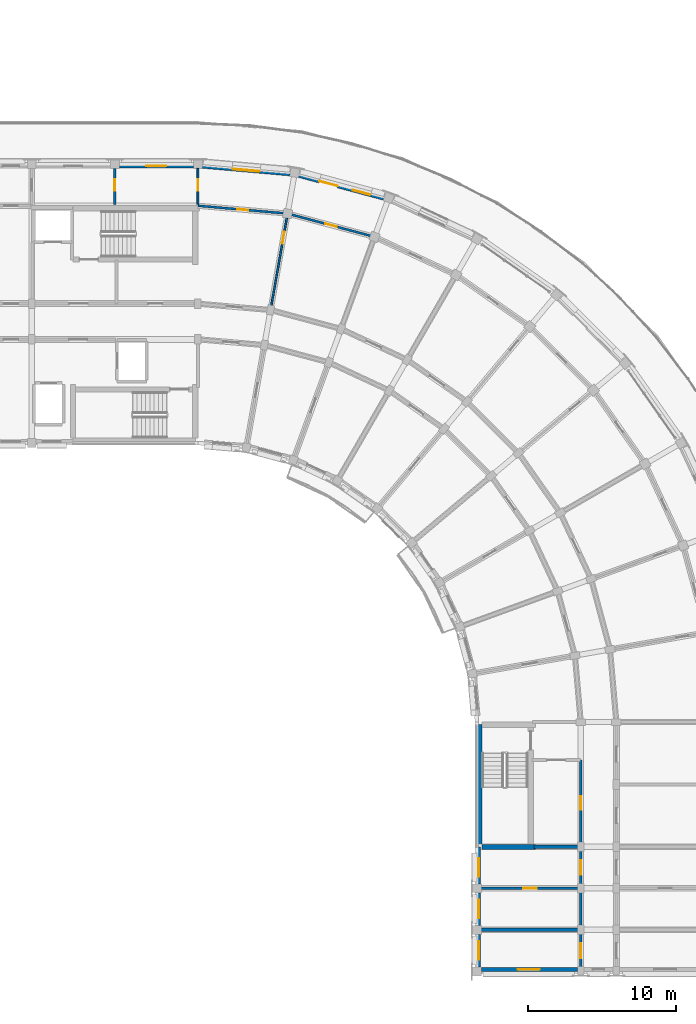
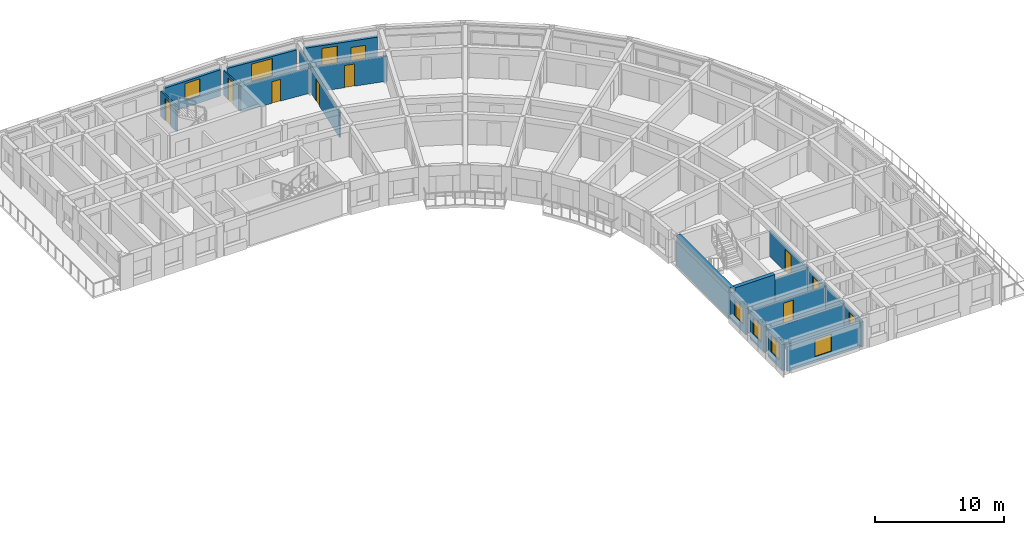
# One storey, part 20 of 36: 21 walls, 10 doors, 7 windows, 17 openings.
"""IFC4 building model written with IfcOpenShell, lengths in metres."""

from ifc_helpers import new_model, si_unit, direction, frame, frame_2d, origin, place, context, subcontext, project, spatial, rectangle, extrude, material, layer, layer_set, type_object, element, fill, save


model = new_model("IFC4")

# Units and contexts
model_context = context("Model", 3, precision=1e-05, world=origin(), true_north=direction((0.0, 1.0)))
body_context = subcontext(model_context, "Body", "Model", "MODEL_VIEW")
ifc_project = project(units=[si_unit("LENGTHUNIT", "METRE"), si_unit("AREAUNIT", "SQUARE_METRE"), si_unit("VOLUMEUNIT", "CUBIC_METRE"), si_unit("PLANEANGLEUNIT", "RADIAN"), si_unit("MASSUNIT", "GRAM", prefix="KILO")], contexts=[model_context])

# Site, building, storey
site_placement = place(None, origin())
site = spatial("IfcSite", under=ifc_project, at=site_placement, CompositionType="ELEMENT")
building_placement = place(site_placement, origin())
building = spatial("IfcBuilding", under=site, at=building_placement, Name="Kiranvali Square Residences", CompositionType="ELEMENT")
storey_placement = place(building_placement, frame((0.0, 0.0, 37.050048828125)))
storey = spatial("IfcBuildingStorey", under=building, at=storey_placement, Name="L11", CompositionType="ELEMENT", Elevation=37.050048828125)

# Wall, opening, door
ifc_material_1 = material(Name="Autoclaved aerated concrete blockwork masonry", Category="masonry")
ifc_layer_1 = layer(ifc_material_1, 0.199951171875)
ifc_layer_set_1 = layer_set([ifc_layer_1], Name="Autoclaved aerated concrete blockwork masonry")
wall_type_1 = type_object("IfcWallType", Name="WL-COR-200", PredefinedType="STANDARD", material=ifc_layer_set_1)
wall_1_placement = place(storey_placement, frame((145.60009765625, 85.25, 0.0), z_axis=(0.0, 0.0, 1.0), x_axis=(0.0, -1.0, 0.0)))
wall_1 = element("IfcWall", 1, at=wall_1_placement, inside=storey, type_object=wall_type_1, Name="L11 architectural wall WL-L11-B-S3-COR", PredefinedType="STANDARD", context=body_context, shape_type="SweptSolid", body=[
    extrude(rectangle(XDim=5.800048828125, YDim=0.199951171875, at=frame_2d((2.89990234375, 0.0))), origin(), (0.0, 0.0, 1.0), 2.3720703125),
])
opening_1_placement = place(wall_1_placement, frame((2.43994140625, 0.0, 0.0)))
opening_1 = element("IfcOpeningElement", 2, at=opening_1_placement, cuts=wall_1, Name="Opening FD-SVC-120", PredefinedType="OPENING", context=body_context, shape_type="SweptSolid", body=[
    extrude(rectangle(XDim=0.919921875, YDim=2.10009765625, at=frame_2d((0.4599609375, 1.050048828125))), frame((0.0, 0.10986328125, 0.0), z_axis=(0.0, -1.0, 0.0), x_axis=(1.0, 0.0, 0.0)), (0.0, 0.0, 1.0), 0.219970703125),
])
ifc_material_2 = material(Name="Fire-rated acoustic hardwood and mineral-core door assembly", Category="wood")
door_type_1 = type_object("IfcDoorType", Name="DR-SVC-900", OperationType="NOTDEFINED", PredefinedType="DOOR", material=ifc_material_2)
door_1_placement = place(opening_1_placement, origin())
door_1 = element("IfcDoor", 3, at=door_1_placement, inside=storey, type_object=door_type_1, Name="L11 door DR-L11-1643 (DR-SVC-900)", OperationType="SINGLE_SWING_LEFT", OverallHeight=2.10009765625, OverallWidth=0.919921875, PredefinedType="DOOR", context=body_context, shape_type="SweptSolid", body=[
    extrude(rectangle(XDim=0.919921875, YDim=2.10009765625, at=frame_2d((0.4599609375, 1.050048828125))), frame((0.0, 0.02490234375, 0.0), z_axis=(0.0, -1.0, 0.0), x_axis=(1.0, 0.0, 0.0)), (0.0, 0.0, 1.0), 0.050048828125),
])
fill(opening_1, door_1)

wall_2_placement = place(storey_placement, frame((145.60009765625, 79.39990234375, 0.0), z_axis=(0.0, 0.0, 1.0), x_axis=(0.0, -1.0, 0.0)))
wall_2 = element("IfcWall", 4, at=wall_2_placement, inside=storey, type_object=wall_type_1, Name="L11 architectural wall WL-L11-B-A2CI-0", PredefinedType="STANDARD", context=body_context, shape_type="SweptSolid", body=[
    extrude(rectangle(XDim=2.7998046875, YDim=0.199951171875, at=frame_2d((1.39990234375, 0.0))), origin(), (0.0, 0.0, 1.0), 2.3720703125),
])
opening_2_placement = place(wall_2_placement, frame((0.89990234375, 0.0, 0.0)))
opening_2 = element("IfcOpeningElement", 5, at=opening_2_placement, cuts=wall_2, Name="Opening FD-APT-60", PredefinedType="OPENING", context=body_context, shape_type="SweptSolid", body=[
    extrude(rectangle(XDim=1.0, YDim=2.14990234375, at=frame_2d((0.5, 1.074951171875))), frame((0.0, 0.10986328125, 0.0), z_axis=(0.0, -1.0, 0.0), x_axis=(1.0, 0.0, 0.0)), (0.0, 0.0, 1.0), 0.219970703125),
])
door_type_2 = type_object("IfcDoorType", Name="DR-APT-1000", OperationType="NOTDEFINED", PredefinedType="DOOR", material=ifc_material_2)
door_2_placement = place(opening_2_placement, frame((1.0, 0.0, 0.0), z_axis=(0.0, 0.0, 1.0), x_axis=(-1.0, 0.0, 0.0)))
door_2 = element("IfcDoor", 6, at=door_2_placement, inside=storey, type_object=door_type_2, Name="L11 door DR-L11-1688 (DR-APT-1000)", OperationType="SINGLE_SWING_RIGHT", OverallHeight=2.14990234375, OverallWidth=1.0, PredefinedType="DOOR", context=body_context, shape_type="SweptSolid", body=[
    extrude(rectangle(XDim=1.0, YDim=2.14990234375, at=frame_2d((0.5, 1.074951171875))), frame((0.0, 0.02490234375, 0.0), z_axis=(0.0, -1.0, 0.0), x_axis=(1.0, 0.0, 0.0)), (0.0, 0.0, 1.0), 0.050048828125),
])
fill(opening_2, door_2)

# Wall
wall_3_placement = place(storey_placement, frame((145.60009765625, 76.60009765625, 0.0), z_axis=(0.0, 0.0, 1.0), x_axis=(0.0, -1.0, 0.0)))
element("IfcWall", 7, at=wall_3_placement, inside=storey, type_object=wall_type_1, Name="L11 architectural wall WL-L11-B-A2CI-1", PredefinedType="STANDARD", context=body_context, shape_type="SweptSolid", body=[
    extrude(rectangle(XDim=2.800048828125, YDim=0.199951171875, at=frame_2d((1.39990234375, 0.0))), origin(), (0.0, 0.0, 1.0), 2.3720703125),
])

# Wall, opening, door
wall_4_placement = place(storey_placement, frame((145.60009765625, 73.800048828125, 0.0), z_axis=(0.0, 0.0, 1.0), x_axis=(0.0, -1.0, 0.0)))
wall_4 = element("IfcWall", 8, at=wall_4_placement, inside=storey, type_object=wall_type_1, Name="L11 architectural wall WL-L11-B-A2CI-2", PredefinedType="STANDARD", context=body_context, shape_type="SweptSolid", body=[
    extrude(rectangle(XDim=2.800048828125, YDim=0.199951171875, at=frame_2d((1.39990234375, 0.0))), origin(), (0.0, 0.0, 1.0), 2.3720703125),
])
opening_3_placement = place(wall_4_placement, frame((0.89990234375, 0.0, 0.0)))
opening_3 = element("IfcOpeningElement", 9, at=opening_3_placement, cuts=wall_4, Name="Opening FD-APT-60", PredefinedType="OPENING", context=body_context, shape_type="SweptSolid", body=[
    extrude(rectangle(XDim=1.0, YDim=2.14990234375, at=frame_2d((0.5, 1.074951171875))), frame((0.0, 0.10986328125, 0.0), z_axis=(0.0, -1.0, 0.0), x_axis=(1.0, 0.0, 0.0)), (0.0, 0.0, 1.0), 0.219970703125),
])
door_3_placement = place(opening_3_placement, frame((1.0, 0.0, 0.0), z_axis=(0.0, 0.0, 1.0), x_axis=(-1.0, 0.0, 0.0)))
door_3 = element("IfcDoor", 10, at=door_3_placement, inside=storey, type_object=door_type_2, Name="L11 door DR-L11-1694 (DR-APT-1000)", OperationType="SINGLE_SWING_RIGHT", OverallHeight=2.14990234375, OverallWidth=1.0, PredefinedType="DOOR", context=body_context, shape_type="SweptSolid", body=[
    extrude(rectangle(XDim=1.0, YDim=2.14990234375, at=frame_2d((0.5, 1.074951171875))), frame((0.0, 0.02490234375, 0.0), z_axis=(0.0, -1.0, 0.0), x_axis=(1.0, 0.0, 0.0)), (0.0, 0.0, 1.0), 0.050048828125),
])
fill(opening_3, door_3)

# Walls
ifc_layer_2 = layer(ifc_material_1, 0.219970703125)
ifc_layer_set_2 = layer_set([ifc_layer_2], Name="Autoclaved aerated concrete blockwork masonry")
wall_type_2 = type_object("IfcWallType", Name="WL-DEM-220", PredefinedType="STANDARD", material=ifc_layer_set_2)
wall_5_placement = place(storey_placement, frame((142.449951171875, 79.39990234375, 0.0), z_axis=(0.0, 0.0, 1.0), x_axis=(1.0, 0.0, 0.0)))
element("IfcWall", 11, at=wall_5_placement, inside=storey, type_object=wall_type_2, Name="L11 architectural wall WL-L11-B-A2TI-0", PredefinedType="STANDARD", context=body_context, shape_type="SweptSolid", body=[
    extrude(rectangle(XDim=3.10009765625, YDim=0.219970703125, at=frame_2d((1.550048828125, 0.0))), origin(), (0.0, 0.0, 1.0), 2.3720703125),
])
wall_6_placement = place(storey_placement, frame((138.800048828125, 73.800048828125, 0.0), z_axis=(0.0, 0.0, 1.0), x_axis=(1.0, 0.0, 0.0)))
element("IfcWall", 12, at=wall_6_placement, inside=storey, type_object=wall_type_2, Name="L11 architectural wall WL-L11-B-A2TI-2", PredefinedType="STANDARD", context=body_context, shape_type="SweptSolid", body=[
    extrude(rectangle(XDim=6.75, YDim=0.219970703125, at=frame_2d((3.375, 0.0))), origin(), (0.0, 0.0, 1.0), 2.3720703125),
])

# Wall, opening, window
ifc_material_3 = material(Name="Breathable lime-rendered clay brick masonry", Category="masonry")
ifc_layer_3 = layer(ifc_material_3, 0.25)
ifc_layer_set_3 = layer_set([ifc_layer_3], Name="Breathable lime-rendered clay brick masonry")
wall_type_3 = type_object("IfcWallType", Name="WL-EXT-250", PredefinedType="STANDARD", material=ifc_layer_set_3)
wall_7_placement = place(storey_placement, frame((120.113525390625, 125.2470703125, 0.0), z_axis=(0.0, 0.0, 1.0), x_axis=(0.996195602799, -0.087145401275, 0.0)))
wall_7 = element("IfcWall", 13, at=wall_7_placement, inside=storey, type_object=wall_type_3, Name="L11 exterior wall B-L11-CRV-00", PredefinedType="STANDARD", context=body_context, shape_type="SweptSolid", body=[
    extrude(rectangle(XDim=5.90283203125, YDim=0.25, at=frame_2d((2.951416015625, 0.0))), origin(), (0.0, 0.0, 1.0), 2.411865234375),
])
opening_4_placement = place(wall_7_placement, frame((2.051513671875, 0.0, 0.56201171875)))
opening_4 = element("IfcOpeningElement", 14, at=opening_4_placement, cuts=wall_7, Name="Opening W-04", PredefinedType="OPENING", context=body_context, shape_type="SweptSolid", body=[
    extrude(rectangle(XDim=1.800048828125, YDim=1.64990234375, at=frame_2d((0.89990234375, 0.824951171875))), frame((0.0, 0.135009765625, 0.0), z_axis=(0.0, -1.0, 0.0), x_axis=(1.0, 0.0, 0.0)), (0.0, 0.0, 1.0), 0.27001953125),
])
ifc_material_4 = material(Name="Solar-control low-e double glazing", Category="glass")
window_type_1 = type_object("IfcWindowType", Name="WIN-RES-1800x1650", PartitioningType="DOUBLE_PANEL_VERTICAL", PredefinedType="WINDOW", material=ifc_material_4)
window_1_placement = place(opening_4_placement, origin())
window_1 = element("IfcWindow", 15, at=window_1_placement, inside=storey, type_object=window_type_1, Name="L11 recessed window B-L11-CRV-00", OverallHeight=1.64990234375, OverallWidth=1.800048828125, PartitioningType="DOUBLE_PANEL_VERTICAL", PredefinedType="WINDOW", context=body_context, shape_type="SweptSolid", body=[
    extrude(rectangle(XDim=1.800048828125, YDim=1.64990234375, at=frame_2d((0.89990234375, 0.824951171875))), frame((0.0, 0.030029296875, 0.0), z_axis=(0.0, -1.0, 0.0), x_axis=(1.0, 0.0, 0.0)), (0.0, 0.0, 1.0), 0.06005859375),
])
fill(opening_4, window_1)

# Wall, openings, door, window
wall_8_placement = place(storey_placement, frame((126.611328125, 124.623779296875, 0.0), z_axis=(0.0, 0.0, 1.0), x_axis=(0.965922573659, -0.258831183778, 0.0)))
wall_8 = element("IfcWall", 16, at=wall_8_placement, inside=storey, type_object=wall_type_3, Name="L11 exterior wall B-L11-CRV-01", PredefinedType="STANDARD", context=body_context, shape_type="SweptSolid", body=[
    extrude(rectangle(XDim=5.90283203125, YDim=0.25, at=frame_2d((2.951416015625, 0.0))), origin(), (0.0, 0.0, 1.0), 2.411865234375),
])
opening_5_placement = place(wall_8_placement, frame((3.75634765625, 0.0, 0.31201171875)))
opening_5 = element("IfcOpeningElement", 17, at=opening_5_placement, cuts=wall_8, Name="Opening W-06", PredefinedType="OPENING", context=body_context, shape_type="SweptSolid", body=[
    extrude(rectangle(XDim=1.199951171875, YDim=1.5, at=frame_2d((0.60009765625, 0.75))), frame((0.0, 0.135009765625, 0.0), z_axis=(0.0, -1.0, 0.0), x_axis=(1.0, 0.0, 0.0)), (0.0, 0.0, 1.0), 0.27001953125),
])
opening_6_placement = place(wall_8_placement, frame((1.43603515625, 0.0, 0.0)))
opening_6 = element("IfcOpeningElement", 18, at=opening_6_placement, cuts=wall_8, Name="Opening ED-BAL-2", PredefinedType="OPENING", context=body_context, shape_type="SweptSolid", body=[
    extrude(rectangle(XDim=1.260009765625, YDim=2.14990234375, at=frame_2d((0.6298828125, 1.074951171875))), frame((0.0, 0.135009765625, 0.0), z_axis=(0.0, -1.0, 0.0), x_axis=(1.0, 0.0, 0.0)), (0.0, 0.0, 1.0), 0.27001953125),
])
ifc_material_5 = material(Name="Anodised bronze aluminium framing", Category="aluminium")
door_type_3 = type_object("IfcDoorType", Name="DR-BAL-1260", OperationType="NOTDEFINED", PredefinedType="DOOR", material=ifc_material_5)
door_4_placement = place(opening_6_placement, origin())
door_4 = element("IfcDoor", 19, at=door_4_placement, inside=storey, type_object=door_type_3, Name="L11 balcony terrace door", OperationType="SINGLE_SWING_LEFT", OverallHeight=2.14990234375, OverallWidth=1.260009765625, PredefinedType="DOOR", context=body_context, shape_type="SweptSolid", body=[
    extrude(rectangle(XDim=1.260009765625, YDim=2.14990234375, at=frame_2d((0.6298828125, 1.074951171875))), frame((0.0, 0.02490234375, 0.0), z_axis=(0.0, -1.0, 0.0), x_axis=(1.0, 0.0, 0.0)), (0.0, 0.0, 1.0), 0.050048828125),
])
fill(opening_6, door_4)
window_type_2 = type_object("IfcWindowType", Name="WIN-RES-1200x1500", PartitioningType="SINGLE_PANEL", PredefinedType="WINDOW", material=ifc_material_4)
window_2_placement = place(opening_5_placement, origin())
window_2 = element("IfcWindow", 20, at=window_2_placement, inside=storey, type_object=window_type_2, Name="L11 recessed window B-L11-CRV-01", OverallHeight=1.5, OverallWidth=1.199951171875, PartitioningType="SINGLE_PANEL", PredefinedType="WINDOW", context=body_context, shape_type="SweptSolid", body=[
    extrude(rectangle(XDim=1.199951171875, YDim=1.5, at=frame_2d((0.60009765625, 0.75))), frame((0.0, 0.030029296875, 0.0), z_axis=(0.0, -1.0, 0.0), x_axis=(1.0, 0.0, 0.0)), (0.0, 0.0, 1.0), 0.06005859375),
])
fill(opening_5, window_2)

# Wall, opening, window
wall_9_placement = place(storey_placement, frame((119.49658203125, 125.27490234375, 0.0), z_axis=(0.0, 0.0, 1.0), x_axis=(-1.0, 0.0, 0.0)))
wall_9 = element("IfcWall", 21, at=wall_9_placement, inside=storey, type_object=wall_type_3, Name="L11 exterior wall B-L11-A1O-0", PredefinedType="STANDARD", context=body_context, shape_type="SweptSolid", body=[
    extrude(rectangle(XDim=4.9931640625, YDim=0.25, at=frame_2d((2.49658203125, 0.0))), origin(), (0.0, 0.0, 1.0), 2.47998046875),
])
opening_7_placement = place(wall_9_placement, frame((1.821533203125, 0.0, 0.679931640625)))
opening_7 = element("IfcOpeningElement", 22, at=opening_7_placement, cuts=wall_9, Name="Opening W-14", PredefinedType="OPENING", context=body_context, shape_type="SweptSolid", body=[
    extrude(rectangle(XDim=1.35009765625, YDim=1.60009765625, at=frame_2d((0.675048828125, 0.800048828125))), frame((0.0, 0.135009765625, 0.0), z_axis=(0.0, -1.0, 0.0), x_axis=(1.0, 0.0, 0.0)), (0.0, 0.0, 1.0), 0.27001953125),
])
window_type_3 = type_object("IfcWindowType", Name="WIN-RES-1350x1600", PartitioningType="DOUBLE_PANEL_VERTICAL", PredefinedType="WINDOW", material=ifc_material_4)
window_3_placement = place(opening_7_placement, origin())
window_3 = element("IfcWindow", 23, at=window_3_placement, inside=storey, type_object=window_type_3, Name="L11 recessed window B-L11-A1O-0", OverallHeight=1.60009765625, OverallWidth=1.35009765625, PartitioningType="DOUBLE_PANEL_VERTICAL", PredefinedType="WINDOW", context=body_context, shape_type="SweptSolid", body=[
    extrude(rectangle(XDim=1.35009765625, YDim=1.60009765625, at=frame_2d((0.675048828125, 0.800048828125))), frame((0.0, 0.030029296875, 0.0), z_axis=(0.0, -1.0, 0.0), x_axis=(1.0, 0.0, 0.0)), (0.0, 0.0, 1.0), 0.06005859375),
])
fill(opening_7, window_3)

wall_10_placement = place(storey_placement, frame((138.72509765625, 79.37158203125, 0.0), z_axis=(0.0, 0.0, 1.0), x_axis=(0.0, -1.0, 0.0)))
wall_10 = element("IfcWall", 24, at=wall_10_placement, inside=storey, type_object=wall_type_3, Name="L11 exterior wall B-L11-A2I-0", PredefinedType="STANDARD", context=body_context, shape_type="SweptSolid", body=[
    extrude(rectangle(XDim=2.468017578125, YDim=0.25, at=frame_2d((1.23388671875, 0.0))), origin(), (0.0, 0.0, 1.0), 2.471923828125),
])
opening_8_placement = place(wall_10_placement, frame((0.74658203125, 0.0, 0.721923828125)))
opening_8 = element("IfcOpeningElement", 25, at=opening_8_placement, cuts=wall_10, Name="Opening W-19", PredefinedType="OPENING", context=body_context, shape_type="SweptSolid", body=[
    extrude(rectangle(XDim=1.25, YDim=1.550048828125, at=frame_2d((0.625, 0.77490234375))), frame((0.0, 0.135009765625, 0.0), z_axis=(0.0, -1.0, 0.0), x_axis=(1.0, 0.0, 0.0)), (0.0, 0.0, 1.0), 0.27001953125),
])
window_type_4 = type_object("IfcWindowType", Name="WIN-GDN-1250x1550", PartitioningType="SINGLE_PANEL", PredefinedType="WINDOW", material=ifc_material_4)
window_4_placement = place(opening_8_placement, origin())
window_4 = element("IfcWindow", 26, at=window_4_placement, inside=storey, type_object=window_type_4, Name="L11 recessed window B-L11-A2I-0", OverallHeight=1.550048828125, OverallWidth=1.25, PartitioningType="SINGLE_PANEL", PredefinedType="WINDOW", context=body_context, shape_type="SweptSolid", body=[
    extrude(rectangle(XDim=1.25, YDim=1.550048828125, at=frame_2d((0.625, 0.77490234375))), frame((0.0, 0.030029296875, 0.0), z_axis=(0.0, -1.0, 0.0), x_axis=(1.0, 0.0, 0.0)), (0.0, 0.0, 1.0), 0.06005859375),
])
fill(opening_8, window_4)

wall_11_placement = place(storey_placement, frame((138.72509765625, 76.29638671875, 0.0), z_axis=(0.0, 0.0, 1.0), x_axis=(0.0, -1.0, 0.0)))
wall_11 = element("IfcWall", 27, at=wall_11_placement, inside=storey, type_object=wall_type_3, Name="L11 exterior wall B-L11-A2I-1", PredefinedType="STANDARD", context=body_context, shape_type="SweptSolid", body=[
    extrude(rectangle(XDim=2.19287109375, YDim=0.25, at=frame_2d((1.096435546875, 0.0))), origin(), (0.0, 0.0, 1.0), 2.471923828125),
])
opening_9_placement = place(wall_11_placement, frame((0.471435546875, 0.0, 0.721923828125)))
opening_9 = element("IfcOpeningElement", 28, at=opening_9_placement, cuts=wall_11, Name="Opening W-19", PredefinedType="OPENING", context=body_context, shape_type="SweptSolid", body=[
    extrude(rectangle(XDim=1.25, YDim=1.550048828125, at=frame_2d((0.625, 0.77490234375))), frame((0.0, 0.135009765625, 0.0), z_axis=(0.0, -1.0, 0.0), x_axis=(1.0, 0.0, 0.0)), (0.0, 0.0, 1.0), 0.27001953125),
])
window_5_placement = place(opening_9_placement, origin())
window_5 = element("IfcWindow", 29, at=window_5_placement, inside=storey, type_object=window_type_4, Name="L11 recessed window B-L11-A2I-1", OverallHeight=1.550048828125, OverallWidth=1.25, PartitioningType="SINGLE_PANEL", PredefinedType="WINDOW", context=body_context, shape_type="SweptSolid", body=[
    extrude(rectangle(XDim=1.25, YDim=1.550048828125, at=frame_2d((0.625, 0.77490234375))), frame((0.0, 0.030029296875, 0.0), z_axis=(0.0, -1.0, 0.0), x_axis=(1.0, 0.0, 0.0)), (0.0, 0.0, 1.0), 0.06005859375),
])
fill(opening_9, window_5)

wall_12_placement = place(storey_placement, frame((138.72509765625, 73.49658203125, 0.0), z_axis=(0.0, 0.0, 1.0), x_axis=(0.0, -1.0, 0.0)))
wall_12 = element("IfcWall", 30, at=wall_12_placement, inside=storey, type_object=wall_type_3, Name="L11 exterior wall B-L11-A2I-2", PredefinedType="STANDARD", context=body_context, shape_type="SweptSolid", body=[
    extrude(rectangle(XDim=2.193115234375, YDim=0.25, at=frame_2d((1.0966796875, 0.0))), origin(), (0.0, 0.0, 1.0), 2.471923828125),
])
opening_10_placement = place(wall_12_placement, frame((0.471435546875, 0.0, 0.721923828125)))
opening_10 = element("IfcOpeningElement", 31, at=opening_10_placement, cuts=wall_12, Name="Opening W-19", PredefinedType="OPENING", context=body_context, shape_type="SweptSolid", body=[
    extrude(rectangle(XDim=1.25, YDim=1.550048828125, at=frame_2d((0.625, 0.77490234375))), frame((0.0, 0.135009765625, 0.0), z_axis=(0.0, -1.0, 0.0), x_axis=(1.0, 0.0, 0.0)), (0.0, 0.0, 1.0), 0.27001953125),
])
window_6_placement = place(opening_10_placement, origin())
window_6 = element("IfcWindow", 32, at=window_6_placement, inside=storey, type_object=window_type_4, Name="L11 recessed window B-L11-A2I-2", OverallHeight=1.550048828125, OverallWidth=1.25, PartitioningType="SINGLE_PANEL", PredefinedType="WINDOW", context=body_context, shape_type="SweptSolid", body=[
    extrude(rectangle(XDim=1.25, YDim=1.550048828125, at=frame_2d((0.625, 0.77490234375))), frame((0.0, 0.030029296875, 0.0), z_axis=(0.0, -1.0, 0.0), x_axis=(1.0, 0.0, 0.0)), (0.0, 0.0, 1.0), 0.06005859375),
])
fill(opening_10, window_6)

wall_13_placement = place(storey_placement, frame((138.903564453125, 71.125, 0.0), z_axis=(0.0, 0.0, 1.0), x_axis=(1.0, 0.0, 0.0)))
wall_13 = element("IfcWall", 33, at=wall_13_placement, inside=storey, type_object=wall_type_3, Name="L11 exterior wall B-L11-A2END-0", PredefinedType="STANDARD", context=body_context, shape_type="SweptSolid", body=[
    extrude(rectangle(XDim=6.468017578125, YDim=0.25, at=frame_2d((3.23388671875, 0.0))), origin(), (0.0, 0.0, 1.0), 2.3720703125),
])
opening_11_placement = place(wall_13_placement, frame((2.446533203125, 0.0, 0.52197265625)))
opening_11 = element("IfcOpeningElement", 34, at=opening_11_placement, cuts=wall_13, Name="Opening W-05", PredefinedType="OPENING", context=body_context, shape_type="SweptSolid", body=[
    extrude(rectangle(XDim=1.5, YDim=1.64990234375, at=frame_2d((0.75, 0.824951171875))), frame((0.0, 0.135009765625, 0.0), z_axis=(0.0, -1.0, 0.0), x_axis=(1.0, 0.0, 0.0)), (0.0, 0.0, 1.0), 0.27001953125),
])
window_type_5 = type_object("IfcWindowType", Name="WIN-RES-1500x1650", PartitioningType="DOUBLE_PANEL_VERTICAL", PredefinedType="WINDOW", material=ifc_material_4)
window_7_placement = place(opening_11_placement, origin())
window_7 = element("IfcWindow", 35, at=window_7_placement, inside=storey, type_object=window_type_5, Name="L11 recessed window B-L11-A2END-0", OverallHeight=1.64990234375, OverallWidth=1.5, PartitioningType="DOUBLE_PANEL_VERTICAL", PredefinedType="WINDOW", context=body_context, shape_type="SweptSolid", body=[
    extrude(rectangle(XDim=1.5, YDim=1.64990234375, at=frame_2d((0.75, 0.824951171875))), frame((0.0, 0.030029296875, 0.0), z_axis=(0.0, -1.0, 0.0), x_axis=(1.0, 0.0, 0.0)), (0.0, 0.0, 1.0), 0.06005859375),
])
fill(opening_11, window_7)

# Wall, opening, door
ifc_material_6 = material(Name="Acoustic gypsum board drylined partition", Category="gypsum")
ifc_layer_4 = layer(ifc_material_6, 0.125)
ifc_layer_set_4 = layer_set([ifc_layer_4], Name="Acoustic gypsum board drylined partition")
wall_type_4 = type_object("IfcWallType", Name="WL-PRT-125", PredefinedType="PARTITIONING", material=ifc_layer_set_4)
wall_14_placement = place(storey_placement, frame((119.800048828125, 122.699951171875, 0.0), z_axis=(0.0, 0.0, 1.0), x_axis=(0.0, 1.0, 0.0)))
wall_14 = element("IfcWall", 36, at=wall_14_placement, inside=storey, type_object=wall_type_4, Name="L11 architectural wall WL-L11-B-RADO-0", PredefinedType="PARTITIONING", context=body_context, shape_type="SweptSolid", body=[
    extrude(rectangle(XDim=2.420166015625, YDim=0.125, at=frame_2d((1.2099609375, 0.0))), origin(), (0.0, 0.0, 1.0), 2.3720703125),
])
opening_12_placement = place(wall_14_placement, frame((0.89990234375, 0.0, 0.0)))
opening_12 = element("IfcOpeningElement", 37, at=opening_12_placement, cuts=wall_14, Name="Opening ID-WET", PredefinedType="OPENING", context=body_context, shape_type="SweptSolid", body=[
    extrude(rectangle(XDim=0.800048828125, YDim=2.10009765625, at=frame_2d((0.39990234375, 1.050048828125))), frame((0.0, 0.072509765625, 0.0), z_axis=(0.0, -1.0, 0.0), x_axis=(1.0, 0.0, 0.0)), (0.0, 0.0, 1.0), 0.14501953125),
])
ifc_material_7 = material(Name="Solid seasoned teak hardwood joinery", Category="wood")
door_type_4 = type_object("IfcDoorType", Name="DR-WET-800", OperationType="NOTDEFINED", PredefinedType="DOOR", material=ifc_material_7)
door_5_placement = place(opening_12_placement, frame((0.800048828125, 0.0, 0.0), z_axis=(0.0, 0.0, 1.0), x_axis=(-1.0, 0.0, 0.0)))
door_5 = element("IfcDoor", 38, at=door_5_placement, inside=storey, type_object=door_type_4, Name="L11 door DR-L11-1656 (DR-WET-800)", OperationType="SINGLE_SWING_RIGHT", OverallHeight=2.10009765625, OverallWidth=0.800048828125, PredefinedType="DOOR", context=body_context, shape_type="SweptSolid", body=[
    extrude(rectangle(XDim=0.800048828125, YDim=2.10009765625, at=frame_2d((0.39990234375, 1.050048828125))), frame((0.0, 0.02490234375, 0.0), z_axis=(0.0, -1.0, 0.0), x_axis=(1.0, 0.0, 0.0)), (0.0, 0.0, 1.0), 0.050048828125),
])
fill(opening_12, door_5)

wall_15_placement = place(storey_placement, frame((124.71435546875, 115.670166015625, 0.0), z_axis=(0.0, 0.0, 1.0), x_axis=(0.173635554464, 0.98480997874, 0.0)))
wall_15 = element("IfcWall", 39, at=wall_15_placement, inside=storey, type_object=wall_type_4, Name="L11 architectural wall WL-L11-B-RADO-1", PredefinedType="PARTITIONING", context=body_context, shape_type="SweptSolid", body=[
    extrude(rectangle(XDim=9.019775390625, YDim=0.125, at=frame_2d((4.509765625, 0.0))), origin(), (0.0, 0.0, 1.0), 2.3720703125),
])
opening_13_placement = place(wall_15_placement, frame((4.449951171875, 0.0, 0.0)))
opening_13 = element("IfcOpeningElement", 40, at=opening_13_placement, cuts=wall_15, Name="Opening ID-WET", PredefinedType="OPENING", context=body_context, shape_type="SweptSolid", body=[
    extrude(rectangle(XDim=0.800048828125, YDim=2.10009765625, at=frame_2d((0.39990234375, 1.050048828125))), frame((0.0, 0.072509765625, 0.0), z_axis=(0.0, -1.0, 0.0), x_axis=(1.0, 0.0, 0.0)), (0.0, 0.0, 1.0), 0.14501953125),
])
door_6_placement = place(opening_13_placement, frame((0.800048828125, 0.0, 0.0), z_axis=(0.0, 0.0, 1.0), x_axis=(-1.0, 0.0, 0.0)))
door_6 = element("IfcDoor", 41, at=door_6_placement, inside=storey, type_object=door_type_4, Name="L11 door DR-L11-1658 (DR-WET-800)", OperationType="SINGLE_SWING_RIGHT", OverallHeight=2.10009765625, OverallWidth=0.800048828125, PredefinedType="DOOR", context=body_context, shape_type="SweptSolid", body=[
    extrude(rectangle(XDim=0.800048828125, YDim=2.10009765625, at=frame_2d((0.39990234375, 1.050048828125))), frame((0.0, 0.02490234375, 0.0), z_axis=(0.0, -1.0, 0.0), x_axis=(1.0, 0.0, 0.0)), (0.0, 0.0, 1.0), 0.050048828125),
])
fill(opening_13, door_6)

ifc_layer_5 = layer(ifc_material_6, 0.14990234375)
ifc_layer_set_5 = layer_set([ifc_layer_5], Name="Acoustic gypsum board drylined partition")
wall_type_5 = type_object("IfcWallType", Name="WL-PRT-150", PredefinedType="PARTITIONING", material=ifc_layer_set_5)
wall_16_placement = place(storey_placement, frame((114.199951171875, 122.699951171875, 0.0), z_axis=(0.0, 0.0, 1.0), x_axis=(0.0, 1.0, 0.0)))
wall_16 = element("IfcWall", 42, at=wall_16_placement, inside=storey, type_object=wall_type_5, Name="L11 architectural wall WL-L11-B-CF-MID", PredefinedType="PARTITIONING", context=body_context, shape_type="SweptSolid", body=[
    extrude(rectangle(XDim=2.420166015625, YDim=0.14990234375, at=frame_2d((1.2099609375, 0.0))), origin(), (0.0, 0.0, 1.0), 2.3720703125),
])
opening_14_placement = place(wall_16_placement, frame((0.89990234375, 0.0, 0.0)))
opening_14 = element("IfcOpeningElement", 43, at=opening_14_placement, cuts=wall_16, Name="Opening ID-WET", PredefinedType="OPENING", context=body_context, shape_type="SweptSolid", body=[
    extrude(rectangle(XDim=0.800048828125, YDim=2.10009765625, at=frame_2d((0.39990234375, 1.050048828125))), frame((0.0, 0.0849609375, 0.0), z_axis=(0.0, -1.0, 0.0), x_axis=(1.0, 0.0, 0.0)), (0.0, 0.0, 1.0), 0.169921875),
])
door_7_placement = place(opening_14_placement, frame((0.800048828125, 0.0, 0.0), z_axis=(0.0, 0.0, 1.0), x_axis=(-1.0, 0.0, 0.0)))
door_7 = element("IfcDoor", 44, at=door_7_placement, inside=storey, type_object=door_type_4, Name="L11 door DR-L11-1644 (DR-WET-800)", OperationType="SINGLE_SWING_RIGHT", OverallHeight=2.10009765625, OverallWidth=0.800048828125, PredefinedType="DOOR", context=body_context, shape_type="SweptSolid", body=[
    extrude(rectangle(XDim=0.800048828125, YDim=2.10009765625, at=frame_2d((0.39990234375, 1.050048828125))), frame((0.0, 0.02490234375, 0.0), z_axis=(0.0, -1.0, 0.0), x_axis=(1.0, 0.0, 0.0)), (0.0, 0.0, 1.0), 0.050048828125),
])
fill(opening_14, door_7)

wall_17_placement = place(storey_placement, frame((138.800048828125, 76.60009765625, 0.0), z_axis=(0.0, 0.0, 1.0), x_axis=(1.0, 0.0, 0.0)))
wall_17 = element("IfcWall", 45, at=wall_17_placement, inside=storey, type_object=wall_type_5, Name="L11 architectural wall WL-L11-B-A2TI-1", PredefinedType="PARTITIONING", context=body_context, shape_type="SweptSolid", body=[
    extrude(rectangle(XDim=6.75, YDim=0.14990234375, at=frame_2d((3.375, 0.0))), origin(), (0.0, 0.0, 1.0), 2.3720703125),
])
opening_15_placement = place(wall_17_placement, frame((2.925048828125, 0.0, 0.0)))
opening_15 = element("IfcOpeningElement", 46, at=opening_15_placement, cuts=wall_17, Name="Opening ID-1", PredefinedType="OPENING", context=body_context, shape_type="SweptSolid", body=[
    extrude(rectangle(XDim=0.89990234375, YDim=2.10009765625, at=frame_2d((0.449951171875, 1.050048828125))), frame((0.0, 0.0849609375, 0.0), z_axis=(0.0, -1.0, 0.0), x_axis=(1.0, 0.0, 0.0)), (0.0, 0.0, 1.0), 0.169921875),
])
door_type_5 = type_object("IfcDoorType", Name="DR-INT-900", OperationType="NOTDEFINED", PredefinedType="DOOR", material=ifc_material_7)
door_8_placement = place(opening_15_placement, frame((0.89990234375, 0.0, 0.0), z_axis=(0.0, 0.0, 1.0), x_axis=(-1.0, 0.0, 0.0)))
door_8 = element("IfcDoor", 47, at=door_8_placement, inside=storey, type_object=door_type_5, Name="L11 door DR-L11-1692 (DR-INT-900)", OperationType="SINGLE_SWING_RIGHT", OverallHeight=2.10009765625, OverallWidth=0.89990234375, PredefinedType="DOOR", context=body_context, shape_type="SweptSolid", body=[
    extrude(rectangle(XDim=0.89990234375, YDim=2.10009765625, at=frame_2d((0.449951171875, 1.050048828125))), frame((0.0, 0.02490234375, 0.0), z_axis=(0.0, -1.0, 0.0), x_axis=(1.0, 0.0, 0.0)), (0.0, 0.0, 1.0), 0.050048828125),
])
fill(opening_15, door_8)

# Walls
ifc_material_8 = material(Name="Concrete M45 (45 MPa)", Category="concrete")
ifc_layer_6 = layer(ifc_material_8, 0.320068359375)
ifc_layer_set_6 = layer_set([ifc_layer_6], Name="Concrete M45 (45 MPa)")
wall_type_6 = type_object("IfcWallType", Name="WL-SHR-320", PredefinedType="SHEAR", material=ifc_layer_set_6)
wall_18_placement = place(storey_placement, frame((138.77490234375, 87.625, 0.0), z_axis=(0.0, 0.0, 1.0), x_axis=(0.0, -1.0, 0.0)))
element("IfcWall", 48, at=wall_18_placement, inside=storey, type_object=wall_type_6, Name="Block B core shear wall SW-B3-OUT-L11", PredefinedType="SHEAR", context=body_context, shape_type="SweptSolid", body=[
    extrude(rectangle(XDim=8.25, YDim=0.35009765625, at=frame_2d((4.125, 0.0))), origin(), (0.0, 0.0, 1.0), 2.929931640625),
])
wall_19_placement = place(storey_placement, frame((138.949951171875, 79.375, 0.0), z_axis=(0.0, 0.0, 1.0), x_axis=(1.0, 0.0, 0.0)))
element("IfcWall", 49, at=wall_19_placement, inside=storey, type_object=wall_type_6, Name="Block B core shear wall SW-B3-FAR-L11", PredefinedType="SHEAR", context=body_context, shape_type="SweptSolid", body=[
    extrude(rectangle(XDim=3.60009765625, YDim=0.35009765625, at=frame_2d((1.800048828125, 0.0))), origin(), (0.0, 0.0, 1.0), 2.929931640625),
])

# Wall, opening, door
ifc_layer_7 = layer(ifc_material_1, 0.14990234375)
ifc_layer_set_7 = layer_set([ifc_layer_7], Name="Autoclaved aerated concrete blockwork masonry")
wall_type_7 = type_object("IfcWallType", Name="WL-WET-150", PredefinedType="PLUMBINGWALL", material=ifc_layer_set_7)
wall_20_placement = place(storey_placement, frame((119.800048828125, 122.60009765625, 0.0), z_axis=(0.0, 0.0, 1.0), x_axis=(0.996193018494, -0.087174938512, 0.0)))
wall_20 = element("IfcWall", 50, at=wall_20_placement, inside=storey, type_object=wall_type_7, Name="L11 architectural wall WL-L11-B-CWET-0", PredefinedType="PLUMBINGWALL", context=body_context, shape_type="SweptSolid", body=[
    extrude(rectangle(XDim=6.066162109375, YDim=0.14990234375, at=frame_2d((3.033203125, 0.0))), origin(), (0.0, 0.0, 1.0), 2.3720703125),
])
opening_16_placement = place(wall_20_placement, frame((2.653076171875, 0.0, 0.0)))
opening_16 = element("IfcOpeningElement", 51, at=opening_16_placement, cuts=wall_20, Name="Opening ID-WET0", PredefinedType="OPENING", context=body_context, shape_type="SweptSolid", body=[
    extrude(rectangle(XDim=0.760009765625, YDim=2.050048828125, at=frame_2d((0.3798828125, 1.02490234375))), frame((0.0, 0.0849609375, 0.0), z_axis=(0.0, -1.0, 0.0), x_axis=(1.0, 0.0, 0.0)), (0.0, 0.0, 1.0), 0.169921875),
])
door_type_6 = type_object("IfcDoorType", Name="DR-WET-760", OperationType="NOTDEFINED", PredefinedType="DOOR", material=ifc_material_7)
door_9_placement = place(opening_16_placement, frame((0.760009765625, 0.0, 0.0), z_axis=(0.0, 0.0, 1.0), x_axis=(-1.0, 0.0, 0.0)))
door_9 = element("IfcDoor", 52, at=door_9_placement, inside=storey, type_object=door_type_6, Name="L11 door DR-L11-1668 (DR-WET-760)", OperationType="SINGLE_SWING_RIGHT", OverallHeight=2.050048828125, OverallWidth=0.760009765625, PredefinedType="DOOR", context=body_context, shape_type="SweptSolid", body=[
    extrude(rectangle(XDim=0.760009765625, YDim=2.050048828125, at=frame_2d((0.3798828125, 1.02490234375))), frame((0.0, 0.02490234375, 0.0), z_axis=(0.0, -1.0, 0.0), x_axis=(1.0, 0.0, 0.0)), (0.0, 0.0, 1.0), 0.050048828125),
])
fill(opening_16, door_9)

wall_21_placement = place(storey_placement, frame((125.843017578125, 122.0712890625, 0.0), z_axis=(0.0, 0.0, 1.0), x_axis=(0.965923618901, -0.258827283048, 0.0)))
wall_21 = element("IfcWall", 53, at=wall_21_placement, inside=storey, type_object=wall_type_7, Name="L11 architectural wall WL-L11-B-CWET-1", PredefinedType="PLUMBINGWALL", context=body_context, shape_type="SweptSolid", body=[
    extrude(rectangle(XDim=6.066162109375, YDim=0.14990234375, at=frame_2d((3.033203125, 0.0))), origin(), (0.0, 0.0, 1.0), 2.3720703125),
])
opening_17_placement = place(wall_21_placement, frame((2.633056640625, 0.0, 0.0)))
opening_17 = element("IfcOpeningElement", 54, at=opening_17_placement, cuts=wall_21, Name="Opening ID-WET", PredefinedType="OPENING", context=body_context, shape_type="SweptSolid", body=[
    extrude(rectangle(XDim=0.800048828125, YDim=2.10009765625, at=frame_2d((0.39990234375, 1.050048828125))), frame((0.0, 0.0849609375, 0.0), z_axis=(0.0, -1.0, 0.0), x_axis=(1.0, 0.0, 0.0)), (0.0, 0.0, 1.0), 0.169921875),
])
door_10_placement = place(opening_17_placement, origin())
door_10 = element("IfcDoor", 55, at=door_10_placement, inside=storey, type_object=door_type_4, Name="L11 door DR-L11-1669 (DR-WET-800)", OperationType="SINGLE_SWING_LEFT", OverallHeight=2.10009765625, OverallWidth=0.800048828125, PredefinedType="DOOR", context=body_context, shape_type="SweptSolid", body=[
    extrude(rectangle(XDim=0.800048828125, YDim=2.10009765625, at=frame_2d((0.39990234375, 1.050048828125))), frame((0.0, 0.02490234375, 0.0), z_axis=(0.0, -1.0, 0.0), x_axis=(1.0, 0.0, 0.0)), (0.0, 0.0, 1.0), 0.050048828125),
])
fill(opening_17, door_10)

save(model, "model.ifc")
